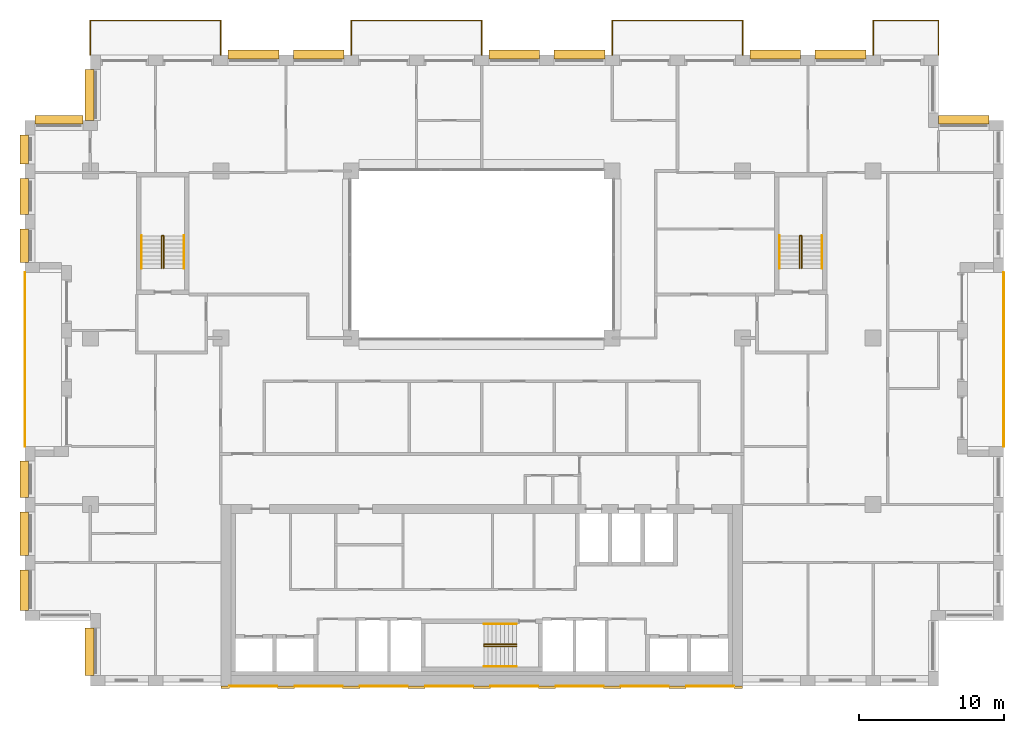
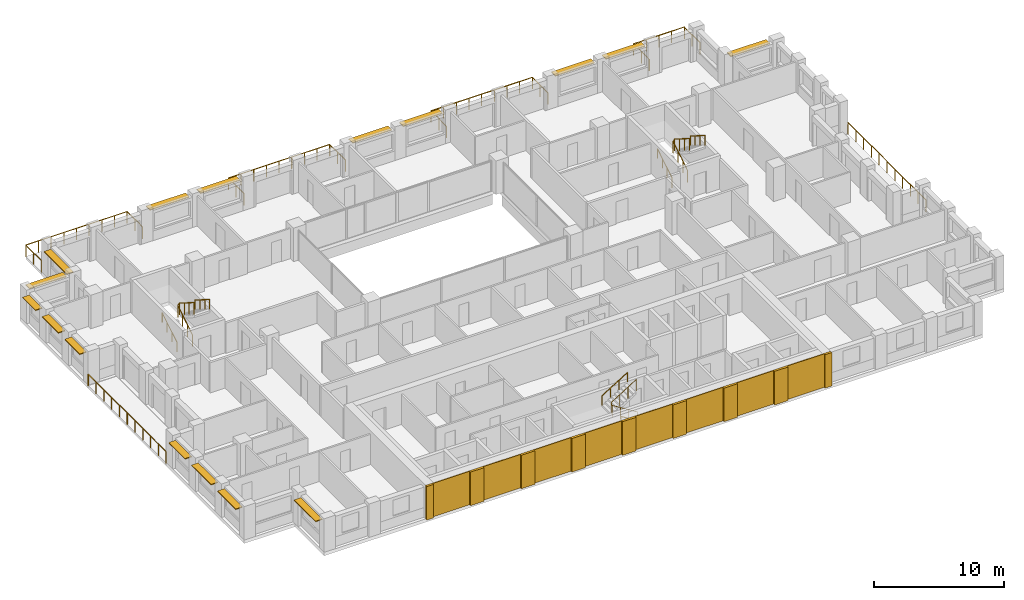
# One storey, part 16 of 16: 17 coverings, 16 shading devices, 15 railings.
"""IFC4 building model written with IfcOpenShell, lengths in metres."""

from ifc_helpers import new_model, si_unit, direction, frame, origin, origin_2d, place, context, subcontext, project, spatial, rectangle, circle, extrude, material, layer, layer_set, type_object, element, save


model = new_model("IFC4")

# Units and contexts
model_context = context("Model", 3, precision=1e-05, world=origin(), true_north=direction((0.0, 1.0)))
body_context = subcontext(model_context, "Body", "Model", "MODEL_VIEW")
ifc_project = project(units=[si_unit("LENGTHUNIT", "METRE"), si_unit("AREAUNIT", "SQUARE_METRE"), si_unit("VOLUMEUNIT", "CUBIC_METRE"), si_unit("PLANEANGLEUNIT", "RADIAN"), si_unit("MASSUNIT", "GRAM", prefix="KILO")], contexts=[model_context])

# Site, building, storey
site_placement = place(None, origin())
site = spatial("IfcSite", under=ifc_project, at=site_placement, CompositionType="ELEMENT")
building_placement = place(site_placement, origin())
building = spatial("IfcBuilding", under=site, at=building_placement, Name="Brigalow Station Residences", CompositionType="ELEMENT")
storey_placement = place(building_placement, frame((0.0, 0.0, 166.5)))
storey = spatial("IfcBuildingStorey", under=building, at=storey_placement, Name="L48", CompositionType="ELEMENT", Elevation=166.5)

# Railings
ifc_material_1 = material(Name="Stainless steel balustrade with laminated glass infill", Category="steel")
railing_type_1 = type_object("IfcRailingType", Name="BALCONY GUARD 1100", PredefinedType="GUARDRAIL", material=ifc_material_1)
railing_1_placement = place(storey_placement, frame((72.0, 16.5, -0.0400390625)))
element("IfcRailing", 1, at=railing_1_placement, inside=storey, type_object=railing_type_1, Name="L48/balcony-guard/1", PredefinedType="GUARDRAIL", context=body_context, shape_type="SweptSolid", body=[
    extrude(circle(Radius=0.02392578125, at=origin_2d()), frame((0.0, 0.0, 1.076171875), z_axis=(0.0, 1.0, 0.0), x_axis=(-1.0, 0.0, 0.0)), (0.0, 0.0, 1.0), 12.0),
    extrude(circle(Radius=0.02099609375, at=origin_2d()), origin(), (0.0, 0.0, 1.0), 1.052001953125),
    extrude(circle(Radius=0.02099609375, at=origin_2d()), frame((0.0, 1.199951171875, 0.0)), (0.0, 0.0, 1.0), 1.052001953125),
    extrude(circle(Radius=0.02099609375, at=origin_2d()), frame((0.0, 2.39990234375, 0.0)), (0.0, 0.0, 1.0), 1.052001953125),
    extrude(circle(Radius=0.02099609375, at=origin_2d()), frame((0.0, 3.60009765625, 0.0)), (0.0, 0.0, 1.0), 1.052001953125),
    extrude(circle(Radius=0.02099609375, at=origin_2d()), frame((0.0, 4.800048828125, 0.0)), (0.0, 0.0, 1.0), 1.052001953125),
    extrude(circle(Radius=0.02099609375, at=origin_2d()), frame((0.0, 6.0, 0.0)), (0.0, 0.0, 1.0), 1.052001953125),
    extrude(circle(Radius=0.02099609375, at=origin_2d()), frame((0.0, 7.199951171875, 0.0)), (0.0, 0.0, 1.0), 1.052001953125),
    extrude(circle(Radius=0.02099609375, at=origin_2d()), frame((0.0, 8.39990234375, 0.0)), (0.0, 0.0, 1.0), 1.052001953125),
    extrude(circle(Radius=0.02099609375, at=origin_2d()), frame((0.0, 9.60009765625, 0.0)), (0.0, 0.0, 1.0), 1.052001953125),
    extrude(circle(Radius=0.02099609375, at=origin_2d()), frame((0.0, 10.800048828125, 0.0)), (0.0, 0.0, 1.0), 1.052001953125),
    extrude(circle(Radius=0.02099609375, at=origin_2d()), frame((0.0, 12.0, 0.0)), (0.0, 0.0, 1.0), 1.052001953125),
])
railing_2_placement = place(storey_placement, frame((67.5, 43.5, -0.0400390625)))
element("IfcRailing", 2, at=railing_2_placement, inside=storey, type_object=railing_type_1, Name="L48/balcony-guard/2", PredefinedType="GUARDRAIL", context=body_context, shape_type="SweptSolid", body=[
    extrude(circle(Radius=0.02392578125, at=origin_2d()), frame((0.0, 0.0, 1.076171875), z_axis=(0.0, 1.0, 0.0), x_axis=(-1.0, 0.0, 0.0)), (0.0, 0.0, 1.0), 2.39990234375),
    extrude(circle(Radius=0.02392578125, at=origin_2d()), frame((0.0, 2.39990234375, 1.076171875), z_axis=(-1.0, 0.0, 0.0), x_axis=(0.0, -1.0, 0.0)), (0.0, 0.0, 1.0), 4.5),
    extrude(circle(Radius=0.02392578125, at=origin_2d()), frame((-4.5, 2.39990234375, 1.076171875), z_axis=(0.0, -1.0, 0.0), x_axis=(1.0, 0.0, 0.0)), (0.0, 0.0, 1.0), 2.39990234375),
    extrude(circle(Radius=0.02099609375, at=origin_2d()), origin(), (0.0, 0.0, 1.0), 1.052001953125),
    extrude(circle(Radius=0.02099609375, at=origin_2d()), frame((0.0, 1.199951171875, 0.0)), (0.0, 0.0, 1.0), 1.052001953125),
    extrude(circle(Radius=0.02099609375, at=origin_2d()), frame((0.0, 2.39990234375, 0.0)), (0.0, 0.0, 1.0), 1.052001953125),
    extrude(circle(Radius=0.02099609375, at=origin_2d()), frame((-1.125, 2.39990234375, 0.0)), (0.0, 0.0, 1.0), 1.052001953125),
    extrude(circle(Radius=0.02099609375, at=origin_2d()), frame((-2.25, 2.39990234375, 0.0)), (0.0, 0.0, 1.0), 1.052001953125),
    extrude(circle(Radius=0.02099609375, at=origin_2d()), frame((-3.375, 2.39990234375, 0.0)), (0.0, 0.0, 1.0), 1.052001953125),
    extrude(circle(Radius=0.02099609375, at=origin_2d()), frame((-4.5, 2.39990234375, 0.0)), (0.0, 0.0, 1.0), 1.052001953125),
    extrude(circle(Radius=0.02099609375, at=origin_2d()), frame((-4.5, 1.199951171875, 0.0)), (0.0, 0.0, 1.0), 1.052001953125),
    extrude(circle(Radius=0.02099609375, at=origin_2d()), frame((-4.5, 0.0, 0.0)), (0.0, 0.0, 1.0), 1.052001953125),
])
railing_3_placement = place(storey_placement, frame((54.0, 43.5, -0.0400390625)))
element("IfcRailing", 3, at=railing_3_placement, inside=storey, type_object=railing_type_1, Name="L48/balcony-guard/3", PredefinedType="GUARDRAIL", context=body_context, shape_type="SweptSolid", body=[
    extrude(circle(Radius=0.02392578125, at=origin_2d()), frame((0.0, 0.0, 1.076171875), z_axis=(0.0, 1.0, 0.0), x_axis=(-1.0, 0.0, 0.0)), (0.0, 0.0, 1.0), 2.39990234375),
    extrude(circle(Radius=0.02392578125, at=origin_2d()), frame((0.0, 2.39990234375, 1.076171875), z_axis=(-1.0, 0.0, 0.0), x_axis=(0.0, -1.0, 0.0)), (0.0, 0.0, 1.0), 9.0),
    extrude(circle(Radius=0.02392578125, at=origin_2d()), frame((-9.0, 2.39990234375, 1.076171875), z_axis=(0.0, -1.0, 0.0), x_axis=(1.0, 0.0, 0.0)), (0.0, 0.0, 1.0), 2.39990234375),
    extrude(circle(Radius=0.02099609375, at=origin_2d()), origin(), (0.0, 0.0, 1.0), 1.052001953125),
    extrude(circle(Radius=0.02099609375, at=origin_2d()), frame((0.0, 1.199951171875, 0.0)), (0.0, 0.0, 1.0), 1.052001953125),
    extrude(circle(Radius=0.02099609375, at=origin_2d()), frame((0.0, 2.39990234375, 0.0)), (0.0, 0.0, 1.0), 1.052001953125),
    extrude(circle(Radius=0.02099609375, at=origin_2d()), frame((-1.125, 2.39990234375, 0.0)), (0.0, 0.0, 1.0), 1.052001953125),
    extrude(circle(Radius=0.02099609375, at=origin_2d()), frame((-2.25, 2.39990234375, 0.0)), (0.0, 0.0, 1.0), 1.052001953125),
    extrude(circle(Radius=0.02099609375, at=origin_2d()), frame((-3.375, 2.39990234375, 0.0)), (0.0, 0.0, 1.0), 1.052001953125),
    extrude(circle(Radius=0.02099609375, at=origin_2d()), frame((-4.5, 2.39990234375, 0.0)), (0.0, 0.0, 1.0), 1.052001953125),
    extrude(circle(Radius=0.02099609375, at=origin_2d()), frame((-5.625, 2.39990234375, 0.0)), (0.0, 0.0, 1.0), 1.052001953125),
    extrude(circle(Radius=0.02099609375, at=origin_2d()), frame((-6.75, 2.39990234375, 0.0)), (0.0, 0.0, 1.0), 1.052001953125),
    extrude(circle(Radius=0.02099609375, at=origin_2d()), frame((-7.875, 2.39990234375, 0.0)), (0.0, 0.0, 1.0), 1.052001953125),
    extrude(circle(Radius=0.02099609375, at=origin_2d()), frame((-9.0, 2.39990234375, 0.0)), (0.0, 0.0, 1.0), 1.052001953125),
    extrude(circle(Radius=0.02099609375, at=origin_2d()), frame((-9.0, 1.199951171875, 0.0)), (0.0, 0.0, 1.0), 1.052001953125),
    extrude(circle(Radius=0.02099609375, at=origin_2d()), frame((-9.0, 0.0, 0.0)), (0.0, 0.0, 1.0), 1.052001953125),
])
railing_4_placement = place(storey_placement, frame((36.0, 43.5, -0.0400390625)))
element("IfcRailing", 4, at=railing_4_placement, inside=storey, type_object=railing_type_1, Name="L48/balcony-guard/4", PredefinedType="GUARDRAIL", context=body_context, shape_type="SweptSolid", body=[
    extrude(circle(Radius=0.02392578125, at=origin_2d()), frame((0.0, 0.0, 1.076171875), z_axis=(0.0, 1.0, 0.0), x_axis=(-1.0, 0.0, 0.0)), (0.0, 0.0, 1.0), 2.39990234375),
    extrude(circle(Radius=0.02392578125, at=origin_2d()), frame((0.0, 2.39990234375, 1.076171875), z_axis=(-1.0, 0.0, 0.0), x_axis=(0.0, -1.0, 0.0)), (0.0, 0.0, 1.0), 9.0),
    extrude(circle(Radius=0.02392578125, at=origin_2d()), frame((-9.0, 2.39990234375, 1.076171875), z_axis=(0.0, -1.0, 0.0), x_axis=(1.0, 0.0, 0.0)), (0.0, 0.0, 1.0), 2.39990234375),
    extrude(circle(Radius=0.02099609375, at=origin_2d()), origin(), (0.0, 0.0, 1.0), 1.052001953125),
    extrude(circle(Radius=0.02099609375, at=origin_2d()), frame((0.0, 1.199951171875, 0.0)), (0.0, 0.0, 1.0), 1.052001953125),
    extrude(circle(Radius=0.02099609375, at=origin_2d()), frame((0.0, 2.39990234375, 0.0)), (0.0, 0.0, 1.0), 1.052001953125),
    extrude(circle(Radius=0.02099609375, at=origin_2d()), frame((-1.125, 2.39990234375, 0.0)), (0.0, 0.0, 1.0), 1.052001953125),
    extrude(circle(Radius=0.02099609375, at=origin_2d()), frame((-2.25, 2.39990234375, 0.0)), (0.0, 0.0, 1.0), 1.052001953125),
    extrude(circle(Radius=0.02099609375, at=origin_2d()), frame((-3.375, 2.39990234375, 0.0)), (0.0, 0.0, 1.0), 1.052001953125),
    extrude(circle(Radius=0.02099609375, at=origin_2d()), frame((-4.5, 2.39990234375, 0.0)), (0.0, 0.0, 1.0), 1.052001953125),
    extrude(circle(Radius=0.02099609375, at=origin_2d()), frame((-5.625, 2.39990234375, 0.0)), (0.0, 0.0, 1.0), 1.052001953125),
    extrude(circle(Radius=0.02099609375, at=origin_2d()), frame((-6.75, 2.39990234375, 0.0)), (0.0, 0.0, 1.0), 1.052001953125),
    extrude(circle(Radius=0.02099609375, at=origin_2d()), frame((-7.875, 2.39990234375, 0.0)), (0.0, 0.0, 1.0), 1.052001953125),
    extrude(circle(Radius=0.02099609375, at=origin_2d()), frame((-9.0, 2.39990234375, 0.0)), (0.0, 0.0, 1.0), 1.052001953125),
    extrude(circle(Radius=0.02099609375, at=origin_2d()), frame((-9.0, 1.199951171875, 0.0)), (0.0, 0.0, 1.0), 1.052001953125),
    extrude(circle(Radius=0.02099609375, at=origin_2d()), frame((-9.0, 0.0, 0.0)), (0.0, 0.0, 1.0), 1.052001953125),
])
railing_5_placement = place(storey_placement, frame((18.0, 43.5, -0.0400390625)))
element("IfcRailing", 5, at=railing_5_placement, inside=storey, type_object=railing_type_1, Name="L48/balcony-guard/5", PredefinedType="GUARDRAIL", context=body_context, shape_type="SweptSolid", body=[
    extrude(circle(Radius=0.02392578125, at=origin_2d()), frame((0.0, 0.0, 1.076171875), z_axis=(0.0, 1.0, 0.0), x_axis=(-1.0, 0.0, 0.0)), (0.0, 0.0, 1.0), 2.39990234375),
    extrude(circle(Radius=0.02392578125, at=origin_2d()), frame((0.0, 2.39990234375, 1.076171875), z_axis=(-1.0, 0.0, 0.0), x_axis=(0.0, -1.0, 0.0)), (0.0, 0.0, 1.0), 9.0),
    extrude(circle(Radius=0.02392578125, at=origin_2d()), frame((-9.0, 2.39990234375, 1.076171875), z_axis=(0.0, -1.0, 0.0), x_axis=(1.0, 0.0, 0.0)), (0.0, 0.0, 1.0), 2.39990234375),
    extrude(circle(Radius=0.02099609375, at=origin_2d()), origin(), (0.0, 0.0, 1.0), 1.052001953125),
    extrude(circle(Radius=0.02099609375, at=origin_2d()), frame((0.0, 1.199951171875, 0.0)), (0.0, 0.0, 1.0), 1.052001953125),
    extrude(circle(Radius=0.02099609375, at=origin_2d()), frame((0.0, 2.39990234375, 0.0)), (0.0, 0.0, 1.0), 1.052001953125),
    extrude(circle(Radius=0.02099609375, at=origin_2d()), frame((-1.125, 2.39990234375, 0.0)), (0.0, 0.0, 1.0), 1.052001953125),
    extrude(circle(Radius=0.02099609375, at=origin_2d()), frame((-2.25, 2.39990234375, 0.0)), (0.0, 0.0, 1.0), 1.052001953125),
    extrude(circle(Radius=0.02099609375, at=origin_2d()), frame((-3.375, 2.39990234375, 0.0)), (0.0, 0.0, 1.0), 1.052001953125),
    extrude(circle(Radius=0.02099609375, at=origin_2d()), frame((-4.5, 2.39990234375, 0.0)), (0.0, 0.0, 1.0), 1.052001953125),
    extrude(circle(Radius=0.02099609375, at=origin_2d()), frame((-5.625, 2.39990234375, 0.0)), (0.0, 0.0, 1.0), 1.052001953125),
    extrude(circle(Radius=0.02099609375, at=origin_2d()), frame((-6.75, 2.39990234375, 0.0)), (0.0, 0.0, 1.0), 1.052001953125),
    extrude(circle(Radius=0.02099609375, at=origin_2d()), frame((-7.875, 2.39990234375, 0.0)), (0.0, 0.0, 1.0), 1.052001953125),
    extrude(circle(Radius=0.02099609375, at=origin_2d()), frame((-9.0, 2.39990234375, 0.0)), (0.0, 0.0, 1.0), 1.052001953125),
    extrude(circle(Radius=0.02099609375, at=origin_2d()), frame((-9.0, 1.199951171875, 0.0)), (0.0, 0.0, 1.0), 1.052001953125),
    extrude(circle(Radius=0.02099609375, at=origin_2d()), frame((-9.0, 0.0, 0.0)), (0.0, 0.0, 1.0), 1.052001953125),
])
railing_6_placement = place(storey_placement, frame((4.5, 28.5, -0.0400390625)))
element("IfcRailing", 6, at=railing_6_placement, inside=storey, type_object=railing_type_1, Name="L48/balcony-guard/6", PredefinedType="GUARDRAIL", context=body_context, shape_type="SweptSolid", body=[
    extrude(circle(Radius=0.02392578125, at=origin_2d()), frame((0.0, 0.0, 1.076171875), z_axis=(0.0, -1.0, 0.0), x_axis=(1.0, 0.0, 0.0)), (0.0, 0.0, 1.0), 12.0),
    extrude(circle(Radius=0.02099609375, at=origin_2d()), origin(), (0.0, 0.0, 1.0), 1.052001953125),
    extrude(circle(Radius=0.02099609375, at=origin_2d()), frame((0.0, -1.199951171875, 0.0)), (0.0, 0.0, 1.0), 1.052001953125),
    extrude(circle(Radius=0.02099609375, at=origin_2d()), frame((0.0, -2.39990234375, 0.0)), (0.0, 0.0, 1.0), 1.052001953125),
    extrude(circle(Radius=0.02099609375, at=origin_2d()), frame((0.0, -3.60009765625, 0.0)), (0.0, 0.0, 1.0), 1.052001953125),
    extrude(circle(Radius=0.02099609375, at=origin_2d()), frame((0.0, -4.800048828125, 0.0)), (0.0, 0.0, 1.0), 1.052001953125),
    extrude(circle(Radius=0.02099609375, at=origin_2d()), frame((0.0, -6.0, 0.0)), (0.0, 0.0, 1.0), 1.052001953125),
    extrude(circle(Radius=0.02099609375, at=origin_2d()), frame((0.0, -7.199951171875, 0.0)), (0.0, 0.0, 1.0), 1.052001953125),
    extrude(circle(Radius=0.02099609375, at=origin_2d()), frame((0.0, -8.39990234375, 0.0)), (0.0, 0.0, 1.0), 1.052001953125),
    extrude(circle(Radius=0.02099609375, at=origin_2d()), frame((0.0, -9.60009765625, 0.0)), (0.0, 0.0, 1.0), 1.052001953125),
    extrude(circle(Radius=0.02099609375, at=origin_2d()), frame((0.0, -10.800048828125, 0.0)), (0.0, 0.0, 1.0), 1.052001953125),
    extrude(circle(Radius=0.02099609375, at=origin_2d()), frame((0.0, -12.0, 0.0)), (0.0, 0.0, 1.0), 1.052001953125),
])

# Coverings
ifc_material_2 = material(Name="Clay brick masonry", Category="masonry")
ifc_layer_1 = layer(ifc_material_2, 0.06005859375)
ifc_layer_set_1 = layer_set([ifc_layer_1], Name="BRICK PANEL FACING 60")
covering_type_1 = type_object("IfcCoveringType", Name="BRICK PANEL FACING 60", PredefinedType="CLADDING", material=ifc_layer_set_1)
for number, where, z_axis, x_axis, name in (
    (7, (20.25, -0.030029296875, 0.0), (0.0, 0.0, 1.0), (1.0, 0.0, 0.0), "L48/rear-facing/panel-1"),
    (8, (24.75, -0.030029296875, 0.0), (0.0, 0.0, 1.0), (1.0, 0.0, 0.0), "L48/rear-facing/panel-2"),
    (9, (29.25, -0.030029296875, 0.0), (0.0, 0.0, 1.0), (1.0, 0.0, 0.0), "L48/rear-facing/panel-3"),
    (10, (33.75, -0.030029296875, 0.0), (0.0, 0.0, 1.0), (1.0, 0.0, 0.0), "L48/rear-facing/panel-4"),
    (11, (38.25, -0.030029296875, 0.0), (0.0, 0.0, 1.0), (1.0, 0.0, 0.0), "L48/rear-facing/panel-5"),
    (12, (42.75, -0.030029296875, 0.0), (0.0, 0.0, 1.0), (1.0, 0.0, 0.0), "L48/rear-facing/panel-6"),
    (13, (47.25, -0.030029296875, 0.0), (0.0, 0.0, 1.0), (1.0, 0.0, 0.0), "L48/rear-facing/panel-7"),
    (14, (51.75, -0.030029296875, 0.0), (0.0, 0.0, 1.0), (1.0, 0.0, 0.0), "L48/rear-facing/panel-8"),
):
    element("IfcCovering", number, at=place(storey_placement, frame(where, z_axis=z_axis, x_axis=x_axis)), inside=storey, type_object=covering_type_1, Name=name, PredefinedType="CLADDING", context=body_context, shape_type="SweptSolid", body=[
        extrude(rectangle(XDim=3.300048828125, YDim=0.06005859375, at=origin_2d()), origin(), (0.0, 0.0, 1.0), 3.14990234375),
    ])
ifc_material_3 = material(Name="Clay brick masonry", Category="masonry")
ifc_layer_2 = layer(ifc_material_3, 0.199951171875)
ifc_layer_set_2 = layer_set([ifc_layer_2], Name="BRICK PIER FACING 200")
covering_type_2 = type_object("IfcCoveringType", Name="BRICK PIER FACING 200", PredefinedType="CLADDING", material=ifc_layer_set_2)
covering_1_placement = place(storey_placement, frame((18.300048828125, -0.10009765625, 0.0), z_axis=(0.0, 0.0, 1.0), x_axis=(1.0, 0.0, 0.0)))
element("IfcCovering", 15, at=covering_1_placement, inside=storey, type_object=covering_type_2, Name="L48/rear-facing/pier-1", PredefinedType="CLADDING", context=body_context, shape_type="SweptSolid", body=[
    extrude(rectangle(XDim=0.60009765625, YDim=0.199951171875, at=origin_2d()), origin(), (0.0, 0.0, 1.0), 3.14990234375),
])
for number, where, z_axis, x_axis, name in (
    (16, (22.5, -0.10009765625, 0.0), (0.0, 0.0, 1.0), (1.0, 0.0, 0.0), "L48/rear-facing/pier-2"),
    (17, (27.0, -0.10009765625, 0.0), (0.0, 0.0, 1.0), (1.0, 0.0, 0.0), "L48/rear-facing/pier-3"),
    (18, (31.5, -0.10009765625, 0.0), (0.0, 0.0, 1.0), (1.0, 0.0, 0.0), "L48/rear-facing/pier-4"),
    (19, (36.0, -0.10009765625, 0.0), (0.0, 0.0, 1.0), (1.0, 0.0, 0.0), "L48/rear-facing/pier-5"),
    (20, (40.5, -0.10009765625, 0.0), (0.0, 0.0, 1.0), (1.0, 0.0, 0.0), "L48/rear-facing/pier-6"),
    (21, (45.0, -0.10009765625, 0.0), (0.0, 0.0, 1.0), (1.0, 0.0, 0.0), "L48/rear-facing/pier-7"),
    (22, (49.5, -0.10009765625, 0.0), (0.0, 0.0, 1.0), (1.0, 0.0, 0.0), "L48/rear-facing/pier-8"),
):
    element("IfcCovering", number, at=place(storey_placement, frame(where, z_axis=z_axis, x_axis=x_axis)), inside=storey, type_object=covering_type_2, Name=name, PredefinedType="CLADDING", context=body_context, shape_type="SweptSolid", body=[
        extrude(rectangle(XDim=1.199951171875, YDim=0.199951171875, at=origin_2d()), origin(), (0.0, 0.0, 1.0), 3.14990234375),
    ])
covering_2_placement = place(storey_placement, frame((53.699951171875, -0.10009765625, 0.0), z_axis=(0.0, 0.0, 1.0), x_axis=(1.0, 0.0, 0.0)))
element("IfcCovering", 23, at=covering_2_placement, inside=storey, type_object=covering_type_2, Name="L48/rear-facing/pier-9", PredefinedType="CLADDING", context=body_context, shape_type="SweptSolid", body=[
    extrude(rectangle(XDim=0.60009765625, YDim=0.199951171875, at=origin_2d()), origin(), (0.0, 0.0, 1.0), 3.14990234375),
])

# Railings
ifc_material_4 = material(Name="Stainless steel balustrade", Category="steel")
railing_type_2 = type_object("IfcRailingType", Name="STAIR GUARD 1100", PredefinedType="GUARDRAIL", material=ifc_material_4)
railing_7_placement = place(storey_placement, frame((38.39990234375, 2.72998046875, 0.175048828125)))
element("IfcRailing", 24, at=railing_7_placement, inside=storey, type_object=railing_type_2, Name="GUARD GR-2", PredefinedType="GUARDRAIL", context=body_context, shape_type="SweptSolid", body=[
    extrude(circle(Radius=0.02392578125, at=origin_2d()), frame((0.0, 0.0, 1.076171875), z_axis=(-0.848013881152, 0.0, 0.529974015752), x_axis=(0.0, -1.0, 0.0)), (0.0, 0.0, 1.0), 2.641357421875),
    extrude(circle(Radius=0.02392578125, at=origin_2d()), frame((-2.239990234375, 0.0, 2.47607421875), z_axis=(0.0, 0.624960567888, 0.780656319122), x_axis=(-1.0, 0.0, 0.0)), (0.0, 0.0, 1.0), 0.22412109375),
    extrude(circle(Radius=0.02392578125, at=origin_2d()), frame((-2.239990234375, 0.14013671875, 2.65087890625), z_axis=(0.848013881152, 0.0, 0.529974015752), x_axis=(0.0, 1.0, 0.0)), (0.0, 0.0, 1.0), 2.641357421875),
    extrude(circle(Radius=0.02099609375, at=origin_2d()), origin(), (0.0, 0.0, 1.0), 1.052001953125),
    extrude(circle(Radius=0.02099609375, at=origin_2d()), frame((-0.74658203125, 0.0, 0.466552734375)), (0.0, 0.0, 1.0), 1.052001953125),
    extrude(circle(Radius=0.02099609375, at=origin_2d()), frame((-1.493408203125, 0.0, 0.933349609375)), (0.0, 0.0, 1.0), 1.052001953125),
    extrude(circle(Radius=0.02099609375, at=origin_2d()), frame((-2.239990234375, 0.0, 1.39990234375)), (0.0, 0.0, 1.0), 1.052001953125),
    extrude(circle(Radius=0.02099609375, at=origin_2d()), frame((-2.239990234375, 0.14013671875, 1.574951171875)), (0.0, 0.0, 1.0), 1.052001953125),
    extrude(circle(Radius=0.02099609375, at=origin_2d()), frame((-1.493408203125, 0.14013671875, 2.04150390625)), (0.0, 0.0, 1.0), 1.052001953125),
    extrude(circle(Radius=0.02099609375, at=origin_2d()), frame((-0.74658203125, 0.14013671875, 2.50830078125)), (0.0, 0.0, 1.0), 1.052001953125),
    extrude(circle(Radius=0.02099609375, at=origin_2d()), frame((0.0, 0.14013671875, 2.974853515625)), (0.0, 0.0, 1.0), 1.052001953125),
])
for number, where, name in (
    (25, (13.929931640625, 28.800048828125, 0.175048828125), "GUARD GR-1"),
    (26, (57.929931640625, 28.800048828125, 0.175048828125), "GUARD GR-3"),
):
    element("IfcRailing", number, at=place(storey_placement, frame(where)), inside=storey, type_object=railing_type_2, Name=name, PredefinedType="GUARDRAIL", context=body_context, shape_type="SweptSolid", body=[
        extrude(circle(Radius=0.02392578125, at=origin_2d()), frame((0.0, 0.0, 1.076171875), z_axis=(0.0, 0.848013881152, 0.529974015752), x_axis=(-1.0, 0.0, 0.0)), (0.0, 0.0, 1.0), 2.641357421875),
        extrude(circle(Radius=0.02392578125, at=origin_2d()), frame((0.0, 2.239990234375, 2.47607421875), z_axis=(0.624960567888, 0.0, 0.780656319122), x_axis=(0.0, 1.0, 0.0)), (0.0, 0.0, 1.0), 0.22412109375),
        extrude(circle(Radius=0.02392578125, at=origin_2d()), frame((0.14013671875, 2.239990234375, 2.65087890625), z_axis=(0.0, -0.848013881152, 0.529974015752), x_axis=(1.0, 0.0, 0.0)), (0.0, 0.0, 1.0), 2.641357421875),
        extrude(circle(Radius=0.02099609375, at=origin_2d()), origin(), (0.0, 0.0, 1.0), 1.052001953125),
        extrude(circle(Radius=0.02099609375, at=origin_2d()), frame((0.0, 0.74658203125, 0.466552734375)), (0.0, 0.0, 1.0), 1.052001953125),
        extrude(circle(Radius=0.02099609375, at=origin_2d()), frame((0.0, 1.493408203125, 0.933349609375)), (0.0, 0.0, 1.0), 1.052001953125),
        extrude(circle(Radius=0.02099609375, at=origin_2d()), frame((0.0, 2.239990234375, 1.39990234375)), (0.0, 0.0, 1.0), 1.052001953125),
        extrude(circle(Radius=0.02099609375, at=origin_2d()), frame((0.14013671875, 2.239990234375, 1.574951171875)), (0.0, 0.0, 1.0), 1.052001953125),
        extrude(circle(Radius=0.02099609375, at=origin_2d()), frame((0.14013671875, 1.493408203125, 2.04150390625)), (0.0, 0.0, 1.0), 1.052001953125),
        extrude(circle(Radius=0.02099609375, at=origin_2d()), frame((0.14013671875, 0.74658203125, 2.50830078125)), (0.0, 0.0, 1.0), 1.052001953125),
        extrude(circle(Radius=0.02099609375, at=origin_2d()), frame((0.14013671875, 0.0, 2.974853515625)), (0.0, 0.0, 1.0), 1.052001953125),
    ])
ifc_material_5 = material(Name="Stainless steel handrail", Category="steel")
railing_type_3 = type_object("IfcRailingType", Name="STAIR HANDRAIL 900", PredefinedType="HANDRAIL", material=ifc_material_5)
railing_8_placement = place(storey_placement, frame((38.39990234375, 1.340087890625, 0.175048828125)))
element("IfcRailing", 27, at=railing_8_placement, inside=storey, type_object=railing_type_3, Name="HANDRAIL HR-21", PredefinedType="HANDRAIL", context=body_context, shape_type="SweptSolid", body=[
    extrude(circle(Radius=0.02392578125, at=origin_2d()), frame((0.0, 0.0, 0.8759765625), z_axis=(-0.848013881152, 0.0, 0.529974015752), x_axis=(0.0, -1.0, 0.0)), (0.0, 0.0, 1.0), 2.641357421875),
    extrude(circle(Radius=0.02099609375, at=origin_2d()), origin(), (0.0, 0.0, 1.0), 0.851806640625),
    extrude(circle(Radius=0.02099609375, at=origin_2d()), frame((-0.74658203125, 0.0, 0.466552734375)), (0.0, 0.0, 1.0), 0.851806640625),
    extrude(circle(Radius=0.02099609375, at=origin_2d()), frame((-1.493408203125, 0.0, 0.933349609375)), (0.0, 0.0, 1.0), 0.851806640625),
    extrude(circle(Radius=0.02099609375, at=origin_2d()), frame((-2.239990234375, 0.0, 1.39990234375)), (0.0, 0.0, 1.0), 0.851806640625),
])
railing_9_placement = place(storey_placement, frame((36.159912109375, 4.260009765625, 1.75)))
element("IfcRailing", 28, at=railing_9_placement, inside=storey, type_object=railing_type_3, Name="HANDRAIL HR-22", PredefinedType="HANDRAIL", context=body_context, shape_type="SweptSolid", body=[
    extrude(circle(Radius=0.02392578125, at=origin_2d()), frame((0.0, 0.0, 0.8759765625), z_axis=(0.848013881152, 0.0, 0.529974015752), x_axis=(0.0, 1.0, 0.0)), (0.0, 0.0, 1.0), 2.641357421875),
    extrude(circle(Radius=0.02099609375, at=origin_2d()), origin(), (0.0, 0.0, 1.0), 0.851806640625),
    extrude(circle(Radius=0.02099609375, at=origin_2d()), frame((0.74658203125, 0.0, 0.466552734375)), (0.0, 0.0, 1.0), 0.851806640625),
    extrude(circle(Radius=0.02099609375, at=origin_2d()), frame((1.493408203125, 0.0, 0.933349609375)), (0.0, 0.0, 1.0), 0.851806640625),
    extrude(circle(Radius=0.02099609375, at=origin_2d()), frame((2.239990234375, 0.0, 1.39990234375)), (0.0, 0.0, 1.0), 0.851806640625),
])
railing_10_placement = place(storey_placement, frame((12.5400390625, 28.800048828125, 0.175048828125)))
element("IfcRailing", 29, at=railing_10_placement, inside=storey, type_object=railing_type_3, Name="HANDRAIL HR-11", PredefinedType="HANDRAIL", context=body_context, shape_type="SweptSolid", body=[
    extrude(circle(Radius=0.02392578125, at=origin_2d()), frame((0.0, 0.0, 0.8759765625), z_axis=(0.0, 0.848013881152, 0.529974015752), x_axis=(-1.0, 0.0, 0.0)), (0.0, 0.0, 1.0), 2.641357421875),
    extrude(circle(Radius=0.02099609375, at=origin_2d()), origin(), (0.0, 0.0, 1.0), 0.851806640625),
    extrude(circle(Radius=0.02099609375, at=origin_2d()), frame((0.0, 0.74658203125, 0.466552734375)), (0.0, 0.0, 1.0), 0.851806640625),
    extrude(circle(Radius=0.02099609375, at=origin_2d()), frame((0.0, 1.493408203125, 0.933349609375)), (0.0, 0.0, 1.0), 0.851806640625),
    extrude(circle(Radius=0.02099609375, at=origin_2d()), frame((0.0, 2.239990234375, 1.39990234375)), (0.0, 0.0, 1.0), 0.851806640625),
])
railing_11_placement = place(storey_placement, frame((15.4599609375, 31.0400390625, 1.75)))
element("IfcRailing", 30, at=railing_11_placement, inside=storey, type_object=railing_type_3, Name="HANDRAIL HR-12", PredefinedType="HANDRAIL", context=body_context, shape_type="SweptSolid", body=[
    extrude(circle(Radius=0.02392578125, at=origin_2d()), frame((0.0, 0.0, 0.8759765625), z_axis=(0.0, -0.848013881152, 0.529974015752), x_axis=(1.0, 0.0, 0.0)), (0.0, 0.0, 1.0), 2.641357421875),
    extrude(circle(Radius=0.02099609375, at=origin_2d()), origin(), (0.0, 0.0, 1.0), 0.851806640625),
    extrude(circle(Radius=0.02099609375, at=origin_2d()), frame((0.0, -0.74658203125, 0.466552734375)), (0.0, 0.0, 1.0), 0.851806640625),
    extrude(circle(Radius=0.02099609375, at=origin_2d()), frame((0.0, -1.493408203125, 0.933349609375)), (0.0, 0.0, 1.0), 0.851806640625),
    extrude(circle(Radius=0.02099609375, at=origin_2d()), frame((0.0, -2.239990234375, 1.39990234375)), (0.0, 0.0, 1.0), 0.851806640625),
])
railing_12_placement = place(storey_placement, frame((56.5400390625, 28.800048828125, 0.175048828125)))
element("IfcRailing", 31, at=railing_12_placement, inside=storey, type_object=railing_type_3, Name="HANDRAIL HR-31", PredefinedType="HANDRAIL", context=body_context, shape_type="SweptSolid", body=[
    extrude(circle(Radius=0.02392578125, at=origin_2d()), frame((0.0, 0.0, 0.8759765625), z_axis=(0.0, 0.848013881152, 0.529974015752), x_axis=(-1.0, 0.0, 0.0)), (0.0, 0.0, 1.0), 2.641357421875),
    extrude(circle(Radius=0.02099609375, at=origin_2d()), origin(), (0.0, 0.0, 1.0), 0.851806640625),
    extrude(circle(Radius=0.02099609375, at=origin_2d()), frame((0.0, 0.74658203125, 0.466552734375)), (0.0, 0.0, 1.0), 0.851806640625),
    extrude(circle(Radius=0.02099609375, at=origin_2d()), frame((0.0, 1.493408203125, 0.933349609375)), (0.0, 0.0, 1.0), 0.851806640625),
    extrude(circle(Radius=0.02099609375, at=origin_2d()), frame((0.0, 2.239990234375, 1.39990234375)), (0.0, 0.0, 1.0), 0.851806640625),
])
railing_13_placement = place(storey_placement, frame((59.4599609375, 31.0400390625, 1.75)))
element("IfcRailing", 32, at=railing_13_placement, inside=storey, type_object=railing_type_3, Name="HANDRAIL HR-32", PredefinedType="HANDRAIL", context=body_context, shape_type="SweptSolid", body=[
    extrude(circle(Radius=0.02392578125, at=origin_2d()), frame((0.0, 0.0, 0.8759765625), z_axis=(0.0, -0.848013881152, 0.529974015752), x_axis=(1.0, 0.0, 0.0)), (0.0, 0.0, 1.0), 2.641357421875),
    extrude(circle(Radius=0.02099609375, at=origin_2d()), origin(), (0.0, 0.0, 1.0), 0.851806640625),
    extrude(circle(Radius=0.02099609375, at=origin_2d()), frame((0.0, -0.74658203125, 0.466552734375)), (0.0, 0.0, 1.0), 0.851806640625),
    extrude(circle(Radius=0.02099609375, at=origin_2d()), frame((0.0, -1.493408203125, 0.933349609375)), (0.0, 0.0, 1.0), 0.851806640625),
    extrude(circle(Radius=0.02099609375, at=origin_2d()), frame((0.0, -2.239990234375, 1.39990234375)), (0.0, 0.0, 1.0), 0.851806640625),
])

# Shading devices
ifc_material_6 = material(Name="Powder-coated extruded aluminium blade", Category="aluminium")
ifc_layer_3 = layer(ifc_material_6, 0.080078125)
ifc_layer_set_3 = layer_set([ifc_layer_3], Name="SUNSHADE BLADE 600x80")
shading_device_type = type_object("IfcShadingDeviceType", Name="SUNSHADE BLADE 600x80", PredefinedType="JALOUSIE", material=ifc_layer_set_3)
for number, where, z_axis, x_axis, name in (
    (33, (69.25, 39.050048828125, 2.550048828125), (0.0, 0.0, 1.0), (-1.0, 0.0, 0.0), "L48/blade/W-L48-20"),
    (34, (60.75, 43.550048828125, 2.550048828125), (0.0, 0.0, 1.0), (-1.0, 0.0, 0.0), "L48/blade/W-L48-23"),
    (35, (56.25, 43.550048828125, 2.550048828125), (0.0, 0.0, 1.0), (-1.0, 0.0, 0.0), "L48/blade/W-L48-24"),
    (36, (42.75, 43.550048828125, 2.550048828125), (0.0, 0.0, 1.0), (-1.0, 0.0, 0.0), "L48/blade/W-L48-27"),
    (37, (38.25, 43.550048828125, 2.550048828125), (0.0, 0.0, 1.0), (-1.0, 0.0, 0.0), "L48/blade/W-L48-28"),
    (38, (24.75, 43.550048828125, 2.550048828125), (0.0, 0.0, 1.0), (-1.0, 0.0, 0.0), "L48/blade/W-L48-31"),
    (39, (20.25, 43.550048828125, 2.550048828125), (0.0, 0.0, 1.0), (-1.0, 0.0, 0.0), "L48/blade/W-L48-32"),
    (40, (8.949951171875, 40.75, 2.550048828125), (0.0, 0.0, 1.0), (0.0, -1.0, 0.0), "L48/blade/W-L48-35"),
):
    element("IfcShadingDevice", number, at=place(storey_placement, frame(where, z_axis=z_axis, x_axis=x_axis)), inside=storey, type_object=shading_device_type, Name=name, PredefinedType="JALOUSIE", context=body_context, shape_type="SweptSolid", body=[
        extrude(rectangle(XDim=3.5, YDim=0.60009765625, at=origin_2d()), origin(), (0.0, 0.0, 1.0), 0.080078125),
    ])
shading_device_1_placement = place(storey_placement, frame((6.85009765625, 39.050048828125, 2.550048828125), z_axis=(0.0, 0.0, 1.0), x_axis=(-1.0, 0.0, 0.0)))
element("IfcShadingDevice", 41, at=shading_device_1_placement, inside=storey, type_object=shading_device_type, Name="L48/blade/W-L48-36", PredefinedType="JALOUSIE", context=body_context, shape_type="SweptSolid", body=[
    extrude(rectangle(XDim=3.300048828125, YDim=0.60009765625, at=origin_2d()), origin(), (0.0, 0.0, 1.0), 0.080078125),
])
shading_device_2_placement = place(storey_placement, frame((4.449951171875, 37.0, 2.550048828125), z_axis=(0.0, 0.0, 1.0), x_axis=(0.0, -1.0, 0.0)))
element("IfcShadingDevice", 42, at=shading_device_2_placement, inside=storey, type_object=shading_device_type, Name="L48/blade/W-L48-37", PredefinedType="JALOUSIE", context=body_context, shape_type="SweptSolid", body=[
    extrude(rectangle(XDim=2.0, YDim=0.60009765625, at=origin_2d()), origin(), (0.0, 0.0, 1.0), 0.080078125),
])
shading_device_3_placement = place(storey_placement, frame((4.449951171875, 33.75, 2.550048828125), z_axis=(0.0, 0.0, 1.0), x_axis=(0.0, -1.0, 0.0)))
element("IfcShadingDevice", 43, at=shading_device_3_placement, inside=storey, type_object=shading_device_type, Name="L48/blade/W-L48-38", PredefinedType="JALOUSIE", context=body_context, shape_type="SweptSolid", body=[
    extrude(rectangle(XDim=2.5, YDim=0.60009765625, at=origin_2d()), origin(), (0.0, 0.0, 1.0), 0.080078125),
])
shading_device_4_placement = place(storey_placement, frame((4.449951171875, 30.35009765625, 2.550048828125), z_axis=(0.0, 0.0, 1.0), x_axis=(0.0, -1.0, 0.0)))
element("IfcShadingDevice", 44, at=shading_device_4_placement, inside=storey, type_object=shading_device_type, Name="L48/blade/W-L48-39", PredefinedType="JALOUSIE", context=body_context, shape_type="SweptSolid", body=[
    extrude(rectangle(XDim=2.300048828125, YDim=0.60009765625, at=origin_2d()), origin(), (0.0, 0.0, 1.0), 0.080078125),
])
shading_device_5_placement = place(storey_placement, frame((4.449951171875, 14.25, 2.550048828125), z_axis=(0.0, 0.0, 1.0), x_axis=(0.0, -1.0, 0.0)))
element("IfcShadingDevice", 45, at=shading_device_5_placement, inside=storey, type_object=shading_device_type, Name="L48/blade/W-L48-45", PredefinedType="JALOUSIE", context=body_context, shape_type="SweptSolid", body=[
    extrude(rectangle(XDim=2.5, YDim=0.60009765625, at=origin_2d()), origin(), (0.0, 0.0, 1.0), 0.080078125),
])
shading_device_6_placement = place(storey_placement, frame((4.449951171875, 10.5, 2.550048828125), z_axis=(0.0, 0.0, 1.0), x_axis=(0.0, -1.0, 0.0)))
element("IfcShadingDevice", 46, at=shading_device_6_placement, inside=storey, type_object=shading_device_type, Name="L48/blade/W-L48-46", PredefinedType="JALOUSIE", context=body_context, shape_type="SweptSolid", body=[
    extrude(rectangle(XDim=3.0, YDim=0.60009765625, at=origin_2d()), origin(), (0.0, 0.0, 1.0), 0.080078125),
])
shading_device_7_placement = place(storey_placement, frame((4.449951171875, 6.60009765625, 2.550048828125), z_axis=(0.0, 0.0, 1.0), x_axis=(0.0, -1.0, 0.0)))
element("IfcShadingDevice", 47, at=shading_device_7_placement, inside=storey, type_object=shading_device_type, Name="L48/blade/W-L48-47", PredefinedType="JALOUSIE", context=body_context, shape_type="SweptSolid", body=[
    extrude(rectangle(XDim=2.800048828125, YDim=0.60009765625, at=origin_2d()), origin(), (0.0, 0.0, 1.0), 0.080078125),
])
shading_device_8_placement = place(storey_placement, frame((8.949951171875, 2.35009765625, 2.550048828125), z_axis=(0.0, 0.0, 1.0), x_axis=(0.0, -1.0, 0.0)))
element("IfcShadingDevice", 48, at=shading_device_8_placement, inside=storey, type_object=shading_device_type, Name="L48/blade/W-L48-49", PredefinedType="JALOUSIE", context=body_context, shape_type="SweptSolid", body=[
    extrude(rectangle(XDim=3.300048828125, YDim=0.60009765625, at=origin_2d()), origin(), (0.0, 0.0, 1.0), 0.080078125),
])

save(model, "model.ifc")
